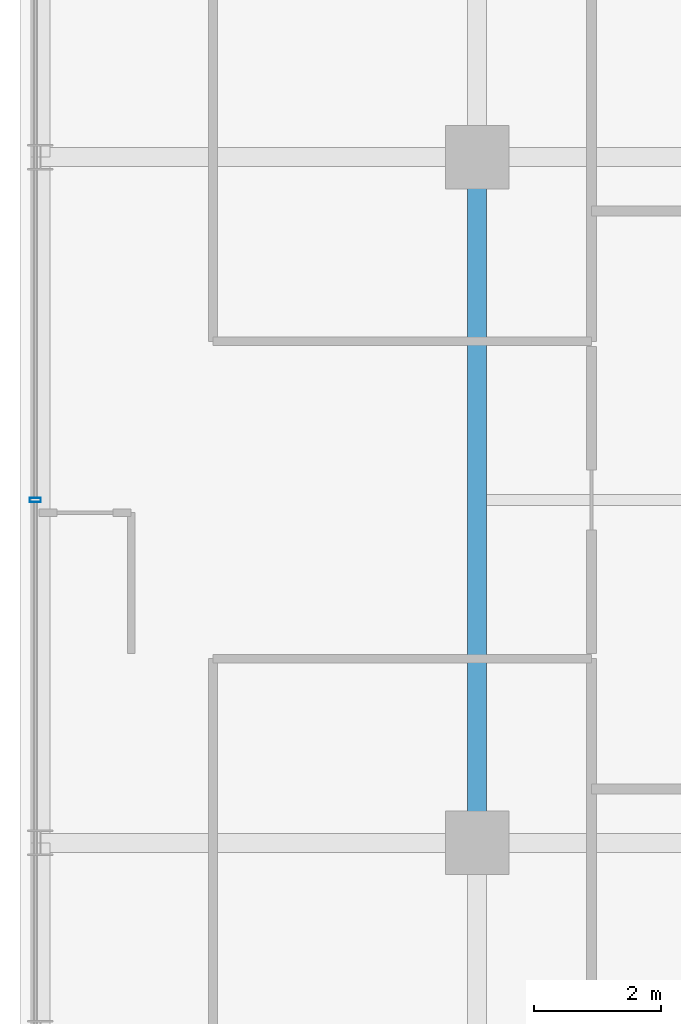
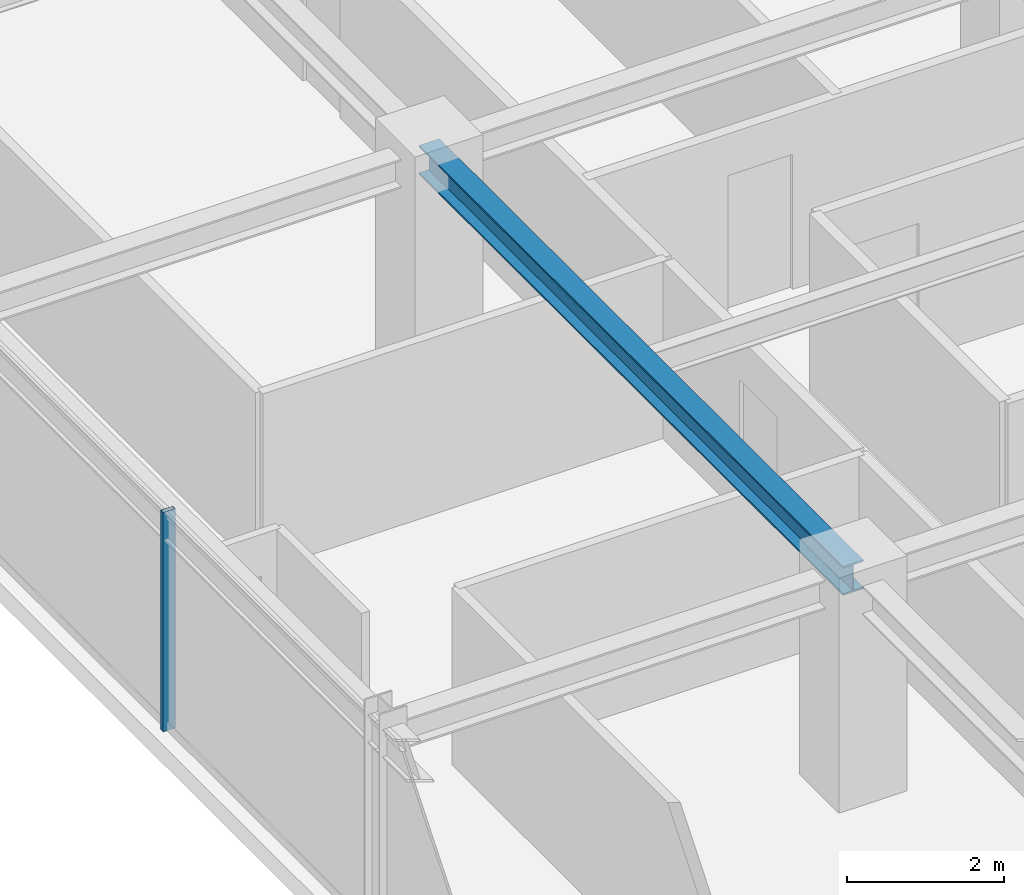
# One storey, part 10 of 43: 1 beam, 1 member, 1 element without a shape of its own.
"""IFC4 building model written with IfcOpenShell, lengths in metres."""

import ifcopenshell
import ifcopenshell.guid

model = None  # the IFC model being written
_history = None  # IfcOwnerHistory: only IFC2X3 demands one
_inside = {}  # id of a spatial element -> (the spatial element, [elements in it])
_under = {}  # id of a project, library or spatial element -> (it, [spatial elements below it])
_declared = {}  # id of a project -> (the project, [libraries it declares])
_typed = {}  # id of a type object -> (the type object, [elements of that type])
_made_of = {}  # id of a material, layer set ... -> (it, [elements and type objects made of it])


def new_model(schema):
    """Start an empty IFC model of exactly this schema.

    Asked for "IFC4X3", IfcOpenShell would pick the latest addendum, in which some entities
    have other attributes; the version numbers below select the first issue.
    IFC2X3 requires an IfcOwnerHistory on every rooted entity: one is made here for all.
    """
    global model, _history
    if schema == "IFC4X3":
        model = ifcopenshell.file(schema_version=(4, 3, 0, 0))
    else:
        model = ifcopenshell.file(schema=schema)
    _inside.clear()
    _under.clear()
    _declared.clear()
    _typed.clear()
    _made_of.clear()
    _history = None
    if model.schema == "IFC2X3":
        org = make("IfcOrganization", Name="unknown")
        user = make(
            "IfcPersonAndOrganization",
            ThePerson=make("IfcPerson", FamilyName="unknown"),
            TheOrganization=org,
        )
        app = make(
            "IfcApplication",
            ApplicationDeveloper=org,
            Version="unknown",
            ApplicationFullName="unknown",
            ApplicationIdentifier="unknown",
        )
        _history = make(
            "IfcOwnerHistory",
            OwningUser=user,
            OwningApplication=app,
            ChangeAction="ADDED",
            CreationDate=0,
        )
    return model


def make(cls, **values):
    """One entity of the class cls with the attributes given. An attribute that is None is left unset."""
    return model.create_entity(
        cls, **{name: value for name, value in values.items() if value is not None}
    )


def rooted(cls, **values):
    """An entity with a GlobalId (a new one), such as an element, a storey or a relation."""
    return make(cls, GlobalId=ifcopenshell.guid.new(), OwnerHistory=_history, **values)


def si_unit(unit_type, name, prefix=None):
    """IfcSIUnit, for example si_unit("LENGTHUNIT", "METRE", prefix="MILLI")."""
    return make("IfcSIUnit", UnitType=unit_type, Prefix=prefix, Name=name)


def assignment(units):
    """IfcUnitAssignment: the units of a project."""
    return None if units is None else make("IfcUnitAssignment", Units=units)


def point(xyz):
    """IfcCartesianPoint."""
    return None if xyz is None else make("IfcCartesianPoint", Coordinates=xyz)


def direction(xyz):
    """IfcDirection."""
    return None if xyz is None else make("IfcDirection", DirectionRatios=xyz)


def frame(location, z_axis=None, x_axis=None):
    """IfcAxis2Placement3D, a coordinate frame: its origin and axes. An axis left out is left unset."""
    return make(
        "IfcAxis2Placement3D",
        Location=point(location),
        Axis=direction(z_axis),
        RefDirection=direction(x_axis),
    )


def frame_2d(location, x_axis=None):
    """IfcAxis2Placement2D, a coordinate frame in the plane: its origin and x axis."""
    return make(
        "IfcAxis2Placement2D", Location=point(location), RefDirection=direction(x_axis)
    )


def origin():
    """The frame at (0, 0, 0) with its axes left unset."""
    return frame((0.0, 0.0, 0.0))


def origin_2d():
    """The frame at (0, 0) in the plane with its x axis left unset."""
    return frame_2d((0.0, 0.0))


def place(relative_to, where):
    """IfcLocalPlacement: puts the frame where relative to a parent placement (None: the world)."""
    return make(
        "IfcLocalPlacement", PlacementRelTo=relative_to, RelativePlacement=where
    )


def context(
    kind, dimensions, precision=None, world=None, true_north=None, identifier=None
):
    """IfcGeometricRepresentationContext, for example the 3D "Model" context."""
    return make(
        "IfcGeometricRepresentationContext",
        ContextIdentifier=identifier,
        ContextType=kind,
        CoordinateSpaceDimension=dimensions,
        Precision=precision,
        WorldCoordinateSystem=world,
        TrueNorth=true_north,
    )


def subcontext(parent, identifier, kind, view, scale=None):
    """IfcGeometricRepresentationSubContext, for example "Body" below "Model"."""
    return make(
        "IfcGeometricRepresentationSubContext",
        ContextIdentifier=identifier,
        ContextType=kind,
        ParentContext=parent,
        TargetScale=scale,
        TargetView=view,
    )


def project(units=None, contexts=None):
    """IfcProject with its units and contexts."""
    return rooted(
        "IfcProject",
        Name="project",
        RepresentationContexts=contexts,
        UnitsInContext=assignment(units),
    )


def spatial(cls, under=None, at=None, **own):
    """A site, building, storey or space (cls), placed at a placement, below another one or the project."""
    s = rooted(cls, ObjectPlacement=at, **own)
    if under is not None:
        _under.setdefault(under.id(), (under, []))[1].append(s)
    return s


def profile(cls, at=None, kind="AREA", **sizes):
    """A parametric profile (cls). Its sizes go by their IFC names, for example OverallWidth=200.0."""
    return make(cls, ProfileType=kind, Position=at, **sizes)


def hollow_rectangle(**sizes):
    """IfcRectangleHollowProfileDef."""
    return profile("IfcRectangleHollowProfileDef", **sizes)


def i_section(**sizes):
    """IfcIShapeProfileDef."""
    return profile("IfcIShapeProfileDef", **sizes)


def extrude(swept, where, along, depth):
    """IfcExtrudedAreaSolid: the profile swept, set in the frame where, extruded along a direction by depth."""
    return make(
        "IfcExtrudedAreaSolid",
        SweptArea=swept,
        Position=where,
        ExtrudedDirection=direction(along),
        Depth=depth,
    )


def shape(context_of_items, identifier, shape_type, items):
    """IfcShapeRepresentation: the items that make up one representation, for example the "Body"."""
    return make(
        "IfcShapeRepresentation",
        ContextOfItems=context_of_items,
        RepresentationIdentifier=identifier,
        RepresentationType=shape_type,
        Items=items,
    )


def source(mapping_origin, context_of_items, identifier, shape_type, items):
    """IfcRepresentationMap: a shape defined once, which mapped items show again and again."""
    return make(
        "IfcRepresentationMap",
        MappingOrigin=mapping_origin,
        MappedRepresentation=shape(context_of_items, identifier, shape_type, items),
    )


def transform(
    local_origin,
    x_axis=None,
    y_axis=None,
    z_axis=None,
    scale=None,
    scale2=None,
    scale3=None,
    uniform=True,
):
    """IfcCartesianTransformationOperator3D, or its non-uniform kind. x_axis, y_axis, z_axis: its Axis1, 2, 3."""
    if uniform:
        return make(
            "IfcCartesianTransformationOperator3D",
            Axis1=direction(x_axis),
            Axis2=direction(y_axis),
            LocalOrigin=point(local_origin),
            Scale=scale,
            Axis3=direction(z_axis),
        )
    return make(
        "IfcCartesianTransformationOperator3DnonUniform",
        Axis1=direction(x_axis),
        Axis2=direction(y_axis),
        LocalOrigin=point(local_origin),
        Scale=scale,
        Axis3=direction(z_axis),
        Scale2=scale2,
        Scale3=scale3,
    )


def mapped(mapping_source, mapping_target):
    """IfcMappedItem: shows the shape of a source again, moved by a transform."""
    return make(
        "IfcMappedItem", MappingSource=mapping_source, MappingTarget=mapping_target
    )


def material(Name=None, Category=None):
    """IfcMaterial."""
    return make("IfcMaterial", Name=Name, Category=Category)


def material_profile(
    of_material, cross_section, Name=None, Category=None, Priority=None
):
    """IfcMaterialProfile: a cross section and its material."""
    return make(
        "IfcMaterialProfile",
        Name=Name,
        Material=of_material,
        Profile=cross_section,
        Priority=Priority,
        Category=Category,
    )


def profile_set(profiles, Name=None, composite=None):
    """IfcMaterialProfileSet."""
    return make(
        "IfcMaterialProfileSet",
        Name=Name,
        MaterialProfiles=profiles,
        CompositeProfile=composite,
    )


def made_of(thing, what):
    """Note that an element or type object is made of a material, layer set ...; save() writes the relation."""
    if what is not None:
        _made_of.setdefault(what.id(), (what, []))[1].append(thing)
    return thing


def type_object(cls, material=None, **own):
    """A type object (cls), such as IfcWallType, which elements share."""
    return made_of(rooted(cls, **own), material)


def element(
    cls,
    number,
    at=None,
    inside=None,
    cuts=None,
    type_object=None,
    material=None,
    context=None,
    identifier="Body",
    shape_type=None,
    held_by="IfcProductDefinitionShape",
    body=None,
    shapes=None,
    **own,
):
    """One element of the class cls, such as IfcWall. Its Tag is "e" and its number.

    at: its placement. inside: the storey or other place that contains it. cuts: it is an
    opening in that element (IfcRelVoidsElement). A single representation is given by context,
    identifier, shape_type and body (its items); several are given by shapes. held_by: the class
    of the entity that holds the representations. save() writes the other relations.
    """
    e = rooted(cls, Tag="e%d" % number, ObjectPlacement=at, **own)
    if body is not None:
        shapes = [shape(context, identifier, shape_type, body)]
    if shapes is not None:
        e.Representation = make(held_by, Representations=shapes)
    if inside is not None:
        _inside.setdefault(inside.id(), (inside, []))[1].append(e)
    if cuts is not None:
        rooted(
            "IfcRelVoidsElement", RelatingBuildingElement=cuts, RelatedOpeningElement=e
        )
    if type_object is not None:
        _typed.setdefault(type_object.id(), (type_object, []))[1].append(e)
    return made_of(e, material)


def aggregate(whole, parts):
    """IfcRelAggregates: a whole, such as a stair, and the parts it consists of."""
    return rooted("IfcRelAggregates", RelatingObject=whole, RelatedObjects=parts)


def save(model, path):
    """Write the relations noted so far, then the file.

    IfcRelAggregates (storeys below a building ...), IfcRelContainedInSpatialStructure (elements
    in a storey), IfcRelDefinesByType, IfcRelAssociatesMaterial and IfcRelDeclares: one each for
    every whole, place, type object, material and project.
    """
    for whole, parts in _under.values():
        aggregate(whole, parts)
    for where, things in _inside.values():
        rooted(
            "IfcRelContainedInSpatialStructure",
            RelatedElements=things,
            RelatingStructure=where,
        )
    for kind, things in _typed.values():
        rooted("IfcRelDefinesByType", RelatedObjects=things, RelatingType=kind)
    for what, things in _made_of.values():
        rooted("IfcRelAssociatesMaterial", RelatedObjects=things, RelatingMaterial=what)
    for by, libraries in _declared.values():
        rooted("IfcRelDeclares", RelatingContext=by, RelatedDefinitions=libraries)
    model.write(path)


model = new_model("IFC4")

# Units and contexts
model_context = context("Model", 3, precision=1e-05, world=origin(), true_north=direction((0.0, 1.0)))
body_context = subcontext(model_context, "Body", "Model", "MODEL_VIEW")
ifc_project = project(units=[si_unit("LENGTHUNIT", "METRE"), si_unit("AREAUNIT", "SQUARE_METRE"), si_unit("VOLUMEUNIT", "CUBIC_METRE"), si_unit("PLANEANGLEUNIT", "RADIAN"), si_unit("MASSUNIT", "GRAM", prefix="KILO")], contexts=[model_context])

# Site, building, storey
site_placement = place(None, origin())
site = spatial("IfcSite", under=ifc_project, at=site_placement, CompositionType="ELEMENT")
building_placement = place(site_placement, origin())
building = spatial("IfcBuilding", under=site, at=building_placement, Name="Nahalor Promenade Grand Hotel", CompositionType="ELEMENT")
storey_placement = place(building_placement, frame((0.0, 0.0, 204.89990234375)))
storey = spatial("IfcBuildingStorey", under=building, at=storey_placement, Name="L52", CompositionType="ELEMENT", Elevation=204.89990234375)

# Beam
ifc_material_1 = material(Name="Steel S355JR", Category="steel")
ifc_material_profile_1 = material_profile(ifc_material_1, i_section(OverallWidth=0.3, OverallDepth=0.45, WebThickness=0.014, FlangeThickness=0.026, at=origin_2d()), Name="HEB 450")
ifc_profile_set_1 = profile_set([ifc_material_profile_1], Name="Steel S355JR")
beam_type = type_object("IfcBeamType", Name="Beam-Girder-HEB450", PredefinedType="BEAM", material=ifc_profile_set_1)
shared_shape_1 = source(origin(), body_context, "Body", "SweptSolid", [
    extrude(i_section(OverallWidth=0.3, OverallDepth=0.45, WebThickness=0.014, FlangeThickness=0.026, at=origin_2d()), origin(), (0.0, 0.0, 1.0), 10.7998046875),
])
beam_placement = place(storey_placement, frame((-17.0, -5.39990234375, 3.18505859375), z_axis=(0.0, 1.0, 0.0), x_axis=(-1.0, 0.0, 0.0)))
element("IfcBeam", 1, at=beam_placement, inside=storey, type_object=beam_type, Name="BM-L52-GY-0-2", PredefinedType="BEAM", context=body_context, shape_type="MappedRepresentation", body=[
    mapped(shared_shape_1, transform((0.0, 0.0, 0.0), scale=1.0)),
])

# Curtain wall, member
ifc_material_2 = material(Name="Anodised Bronze Aluminium EN AW-6063 T6", Category="aluminium")
curtain_wall_type = type_object("IfcCurtainWallType", Name="CW2 Typical Hotel Flush Bronze Unitised Curtain Wall", PredefinedType="USERDEFINED", material=ifc_material_2)
curtain_wall_placement = place(storey_placement, origin())
curtain_wall = element("IfcCurtainWall", 2, at=curtain_wall_placement, inside=storey, type_object=curtain_wall_type, Name="L52 Curtain Wall CW-L52-W-1", ObjectType="UNITISED_CURTAIN_WALL", PredefinedType="USERDEFINED")
ifc_material_profile_2 = material_profile(ifc_material_2, hollow_rectangle(XDim=0.065, YDim=0.18, WallThickness=0.004, at=origin_2d()), Name="CWM 65x180x4")
ifc_profile_set_2 = profile_set([ifc_material_profile_2], Name="Anodised Bronze Aluminium EN AW-6063 T6")
member_type = type_object("IfcMemberType", Name="CWM2 Typical Bronze Mullion 65x180", PredefinedType="MULLION", material=ifc_profile_set_2)
shared_shape_2 = source(origin(), body_context, "Body", "SweptSolid", [
    extrude(hollow_rectangle(XDim=0.065, YDim=0.18, WallThickness=0.004, at=origin_2d()), origin(), (0.0, 0.0, 1.0), 3.41015625),
])
member_placement = place(storey_placement, frame((-23.9599609375, 0.0, 0.0), z_axis=(0.0, 0.0, 1.0), x_axis=(0.0, 1.0, 0.0)))
member = element("IfcMember", 3, at=member_placement, type_object=member_type, Name="CW-L52-W-1 Mullion 2", PredefinedType="MULLION", context=body_context, shape_type="MappedRepresentation", body=[
    mapped(shared_shape_2, transform((0.0, 0.0, 0.0), scale=1.0)),
])
aggregate(curtain_wall, [member])

save(model, "model.ifc")
